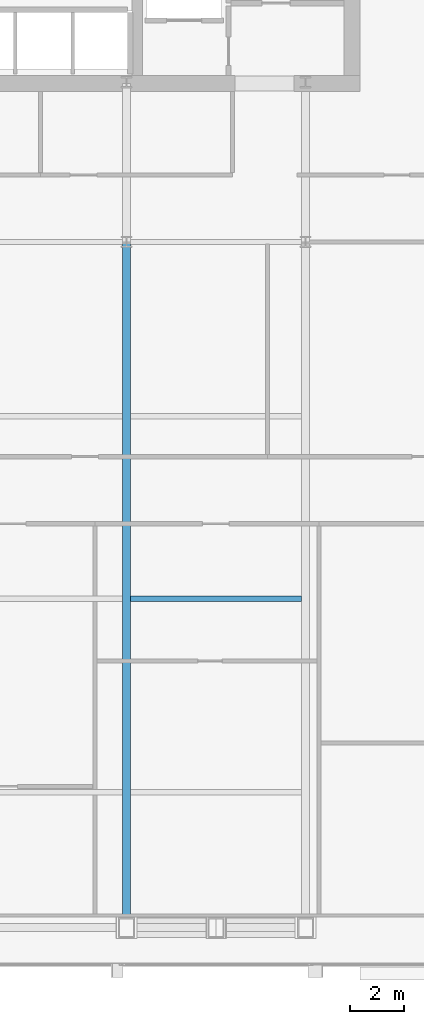
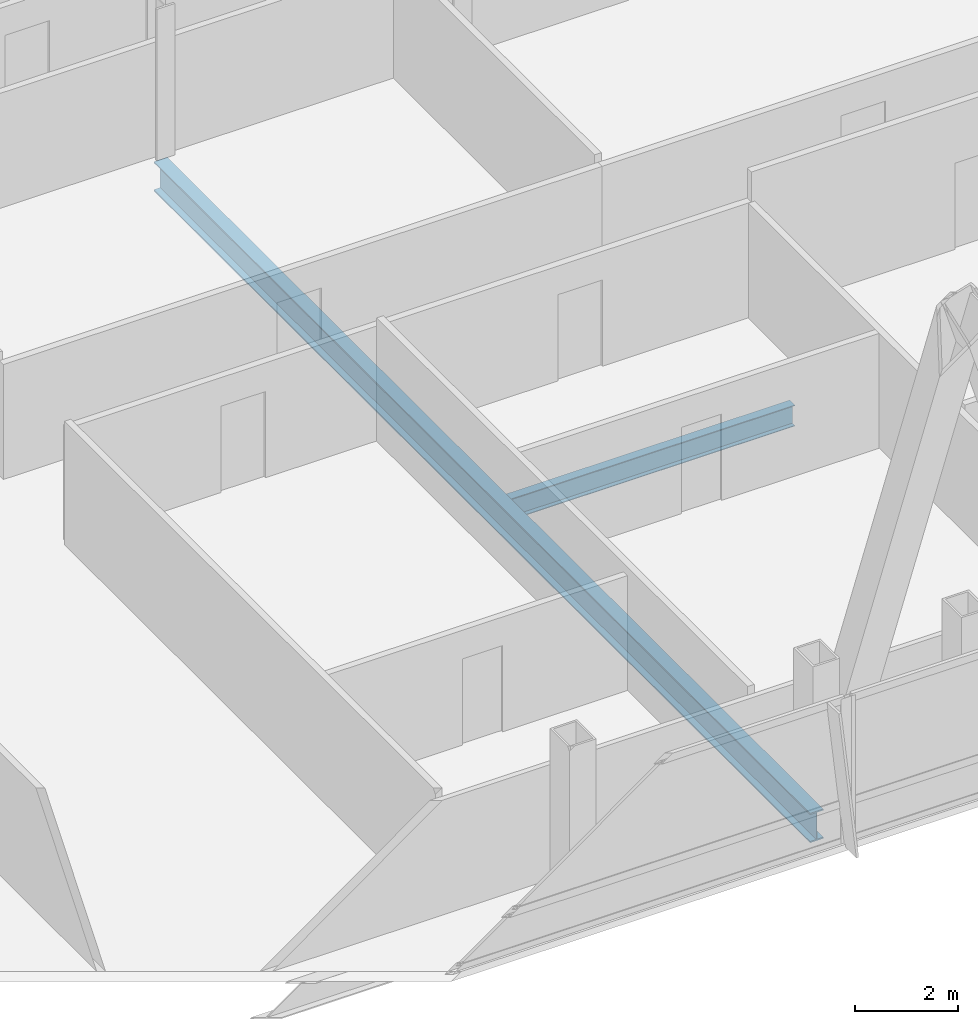
# One storey, part 13 of 32: 2 beams.
"""IFC4 building model written with IfcOpenShell, lengths in metres."""

from ifc_helpers import new_model, si_unit, direction, frame, origin, origin_2d, place, context, subcontext, project, spatial, i_section, extrude, material, material_profile, profile_set, type_object, element, save


model = new_model("IFC4")

# Units and contexts
model_context = context("Model", 3, precision=1e-05, world=origin(), true_north=direction((0.0, 1.0)))
body_context = subcontext(model_context, "Body", "Model", "MODEL_VIEW")
ifc_project = project(units=[si_unit("LENGTHUNIT", "METRE"), si_unit("AREAUNIT", "SQUARE_METRE"), si_unit("VOLUMEUNIT", "CUBIC_METRE"), si_unit("PLANEANGLEUNIT", "RADIAN"), si_unit("MASSUNIT", "GRAM", prefix="KILO")], contexts=[model_context])

# Site, building, storey
site_placement = place(None, origin())
site = spatial("IfcSite", under=ifc_project, at=site_placement, CompositionType="ELEMENT")
building_placement = place(site_placement, origin())
building = spatial("IfcBuilding", under=site, at=building_placement, Name="Khoronbel Lancet Exchange", CompositionType="ELEMENT")
storey_placement = place(building_placement, frame((0.0, 0.0, 188.60009765625)))
storey = spatial("IfcBuildingStorey", under=building, at=storey_placement, Name="L47", CompositionType="ELEMENT", Elevation=188.60009765625)

# Beams
ifc_material = material(Name="Steel S355", Category="steel")
ifc_material_profile_1 = material_profile(ifc_material, i_section(OverallWidth=0.300048828125, OverallDepth=0.699951171875, WebThickness=0.01708984375, FlangeThickness=0.031982421875, at=origin_2d()), Name="HEB 700")
ifc_profile_set_1 = profile_set([ifc_material_profile_1], Name="Steel S355")
beam_type_1 = type_object("IfcBeamType", Name="BM-BG3", PredefinedType="BEAM", material=ifc_profile_set_1)
beam_1_placement = place(storey_placement, frame((48.0, 10.14990234375, -0.510009765625), z_axis=(0.0, 1.0, 0.0), x_axis=(-1.0, 0.0, 0.0)))
element("IfcBeam", 1, at=beam_1_placement, inside=storey, type_object=beam_type_1, Name="Level L47 south primary girder GS5", PredefinedType="BEAM", context=body_context, shape_type="SweptSolid", body=[
    extrude(i_section(OverallWidth=0.300048828125, OverallDepth=0.699951171875, WebThickness=0.01708984375, FlangeThickness=0.031982421875, at=origin_2d()), origin(), (0.0, 0.0, 1.0), 25.550048828125),
])
ifc_material_profile_2 = material_profile(ifc_material, i_section(OverallWidth=0.199951171875, OverallDepth=0.5, WebThickness=0.01025390625, FlangeThickness=0.01611328125, at=origin_2d()), Name="IPE 500")
ifc_profile_set_2 = profile_set([ifc_material_profile_2], Name="Steel S355")
beam_type_2 = type_object("IfcBeamType", Name="BM-BJ3", PredefinedType="JOIST", material=ifc_profile_set_2)
beam_2_placement = place(storey_placement, frame((48.14990234375, 22.39990234375, -0.41015625), z_axis=(1.0, 0.0, 0.0), x_axis=(0.0, 1.0, 0.0)))
element("IfcBeam", 2, at=beam_2_placement, inside=storey, type_object=beam_type_2, Name="Level L47 secondary composite joist J10", PredefinedType="JOIST", context=body_context, shape_type="SweptSolid", body=[
    extrude(i_section(OverallWidth=0.199951171875, OverallDepth=0.5, WebThickness=0.01025390625, FlangeThickness=0.01611328125, at=origin_2d()), origin(), (0.0, 0.0, 1.0), 6.375),
])

save(model, "model.ifc")
